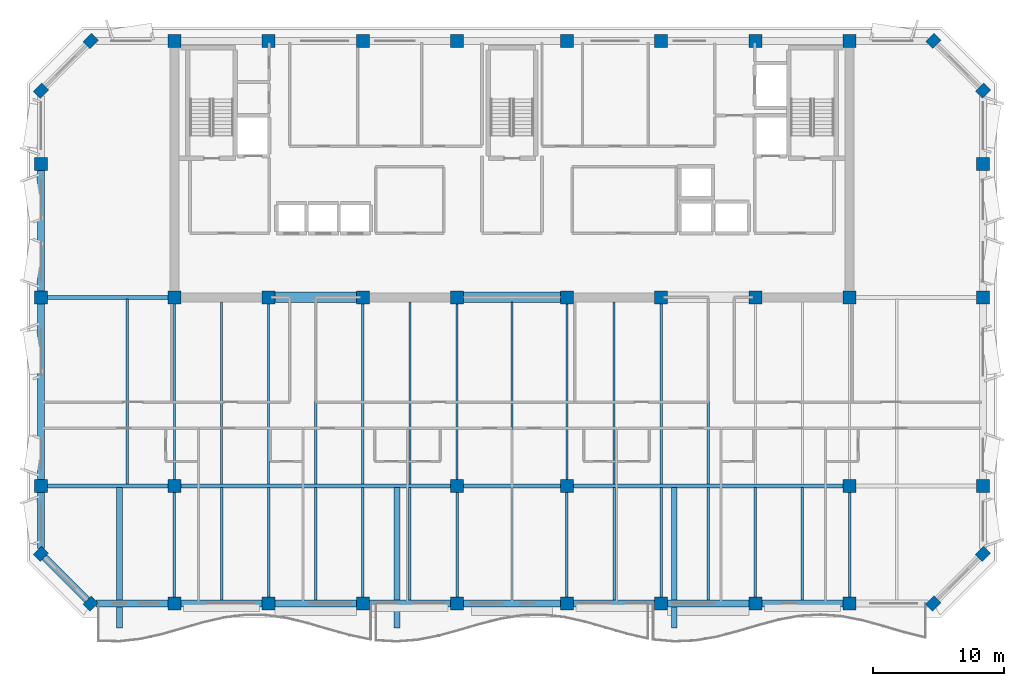
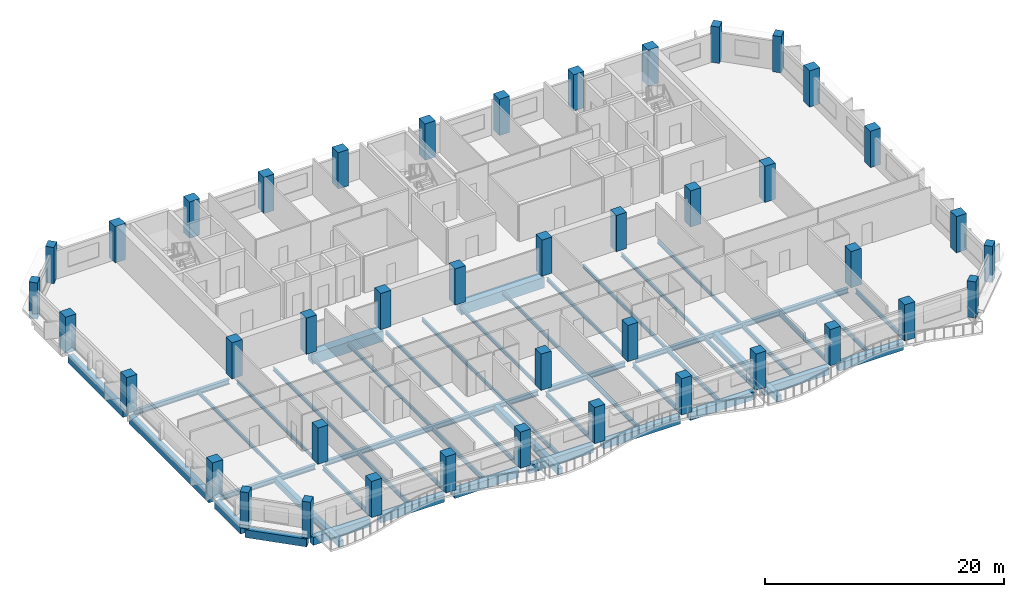
# One storey, part 1 of 11: 50 beams, 42 columns.
"""IFC4 building model written with IfcOpenShell, lengths in metres."""

from ifc_helpers import new_model, si_unit, direction, frame, origin, origin_2d, place, context, subcontext, project, spatial, rectangle, i_section, extrude, material, material_profile, profile_set, type_object, element, save


model = new_model("IFC4")

# Units and contexts
model_context = context("Model", 3, precision=1e-05, world=origin(), true_north=direction((0.0, 1.0)))
body_context = subcontext(model_context, "Body", "Model", "MODEL_VIEW")
ifc_project = project(units=[si_unit("LENGTHUNIT", "METRE"), si_unit("AREAUNIT", "SQUARE_METRE"), si_unit("VOLUMEUNIT", "CUBIC_METRE"), si_unit("PLANEANGLEUNIT", "RADIAN"), si_unit("MASSUNIT", "GRAM", prefix="KILO")], contexts=[model_context])

# Site, building, storey
site_placement = place(None, origin())
site = spatial("IfcSite", under=ifc_project, at=site_placement, CompositionType="ELEMENT")
building_placement = place(site_placement, origin())
building = spatial("IfcBuilding", under=site, at=building_placement, Name="Kaelvorn Grand Hotel", CompositionType="ELEMENT")
storey_placement = place(building_placement, frame((0.0, 0.0, 244.949951171875)))
storey = spatial("IfcBuildingStorey", under=building, at=storey_placement, Name="L60", CompositionType="ELEMENT", Elevation=244.949951171875)

# Columns
ifc_material_1 = material(Name="Concrete C60/75", Category="concrete")
ifc_material_profile_1 = material_profile(ifc_material_1, rectangle(XDim=0.89990234375, YDim=0.75, at=origin_2d()), Name="RC PILASTER 900x750")
ifc_profile_set_1 = profile_set([ifc_material_profile_1], Name="Concrete C60/75")
column_type_1 = type_object("IfcColumnType", Name="COL-PIL-900x750-C60", PredefinedType="PILASTER", material=ifc_profile_set_1)
for number, where, z_axis, x_axis, name in (
    (1, (9.800048828125, 6.0, 0.0), (0.0, 0.0, 1.0), (0.707106781187, 0.707106781187, 0.0), "L60 Structural Column CH-01"),
    (2, (74.199951171875, 6.0, 0.0), (0.0, 0.0, 1.0), (0.707106781187, 0.707106781187, 0.0), "L60 Structural Column CH-02"),
    (3, (78.0, 9.800048828125, 0.0), (0.0, 0.0, 1.0), (0.707106781187, 0.707106781187, 0.0), "L60 Structural Column CH-03"),
    (4, (78.0, 45.199951171875, 0.0), (0.0, 0.0, 1.0), (0.707106781187, 0.707106781187, 0.0), "L60 Structural Column CH-04"),
    (5, (74.199951171875, 49.0, 0.0), (0.0, 0.0, 1.0), (0.707106781187, 0.707106781187, 0.0), "L60 Structural Column CH-05"),
    (6, (9.800048828125, 49.0, 0.0), (0.0, 0.0, 1.0), (0.707106781187, 0.707106781187, 0.0), "L60 Structural Column CH-06"),
    (7, (6.0, 45.199951171875, 0.0), (0.0, 0.0, 1.0), (0.707106781187, 0.707106781187, 0.0), "L60 Structural Column CH-07"),
    (8, (6.0, 9.800048828125, 0.0), (0.0, 0.0, 1.0), (0.707106781187, 0.707106781187, 0.0), "L60 Structural Column CH-08"),
):
    element("IfcColumn", number, at=place(storey_placement, frame(where, z_axis=z_axis, x_axis=x_axis)), inside=storey, type_object=column_type_1, Name=name, PredefinedType="PILASTER", context=body_context, shape_type="SweptSolid", body=[
        extrude(rectangle(XDim=0.89990234375, YDim=0.75, at=origin_2d()), origin(), (0.0, 0.0, 1.0), 3.7099609375),
    ])
ifc_material_2 = material(Name="Concrete C50/60", Category="concrete")
ifc_material_profile_2 = material_profile(ifc_material_2, rectangle(XDim=1.0, YDim=1.0, at=origin_2d()), Name="RC COL 1000x1000")
ifc_profile_set_2 = profile_set([ifc_material_profile_2], Name="Concrete C50/60")
column_type_2 = type_object("IfcColumnType", Name="COL-RC-1000-C50", PredefinedType="COLUMN", material=ifc_profile_set_2)
for number, where, z_axis, x_axis, name in (
    (9, (16.199951171875, 6.0, 0.0), (0.0, 0.0, 1.0), (1.0, 0.0, 0.0), "L60 Structural Column S-01"),
    (10, (23.39990234375, 6.0, 0.0), (0.0, 0.0, 1.0), (1.0, 0.0, 0.0), "L60 Structural Column S-02"),
    (11, (30.60009765625, 6.0, 0.0), (0.0, 0.0, 1.0), (1.0, 0.0, 0.0), "L60 Structural Column S-03"),
    (12, (37.800048828125, 6.0, 0.0), (0.0, 0.0, 1.0), (1.0, 0.0, 0.0), "L60 Structural Column S-04"),
    (13, (46.199951171875, 6.0, 0.0), (0.0, 0.0, 1.0), (1.0, 0.0, 0.0), "L60 Structural Column S-05"),
    (14, (53.39990234375, 6.0, 0.0), (0.0, 0.0, 1.0), (1.0, 0.0, 0.0), "L60 Structural Column S-06"),
    (15, (60.60009765625, 6.0, 0.0), (0.0, 0.0, 1.0), (1.0, 0.0, 0.0), "L60 Structural Column S-07"),
    (16, (67.800048828125, 6.0, 0.0), (0.0, 0.0, 1.0), (1.0, 0.0, 0.0), "L60 Structural Column S-08"),
    (17, (6.0, 15.0, 0.0), (0.0, 0.0, 1.0), (1.0, 0.0, 0.0), "L60 Structural Column W-01"),
    (18, (78.0, 15.0, 0.0), (0.0, 0.0, 1.0), (1.0, 0.0, 0.0), "L60 Structural Column E-01"),
    (19, (6.0, 29.39990234375, 0.0), (0.0, 0.0, 1.0), (1.0, 0.0, 0.0), "L60 Structural Column W-02"),
    (20, (78.0, 29.39990234375, 0.0), (0.0, 0.0, 1.0), (1.0, 0.0, 0.0), "L60 Structural Column E-02"),
    (21, (6.0, 39.60009765625, 0.0), (0.0, 0.0, 1.0), (1.0, 0.0, 0.0), "L60 Structural Column W-03"),
    (22, (78.0, 39.60009765625, 0.0), (0.0, 0.0, 1.0), (1.0, 0.0, 0.0), "L60 Structural Column E-03"),
    (23, (16.199951171875, 15.0, 0.0), (0.0, 0.0, 1.0), (1.0, 0.0, 0.0), "L60 Structural Column M-01"),
    (24, (37.800048828125, 15.0, 0.0), (0.0, 0.0, 1.0), (1.0, 0.0, 0.0), "L60 Structural Column M-02"),
    (25, (46.199951171875, 15.0, 0.0), (0.0, 0.0, 1.0), (1.0, 0.0, 0.0), "L60 Structural Column M-03"),
    (26, (67.800048828125, 15.0, 0.0), (0.0, 0.0, 1.0), (1.0, 0.0, 0.0), "L60 Structural Column M-04"),
    (27, (16.199951171875, 29.39990234375, 0.0), (0.0, 0.0, 1.0), (1.0, 0.0, 0.0), "L60 Structural Column CR1-01"),
    (28, (16.199951171875, 49.0, 0.0), (0.0, 0.0, 1.0), (1.0, 0.0, 0.0), "L60 Structural Column CR2-01"),
    (29, (23.39990234375, 29.39990234375, 0.0), (0.0, 0.0, 1.0), (1.0, 0.0, 0.0), "L60 Structural Column CR1-02"),
    (30, (23.39990234375, 49.0, 0.0), (0.0, 0.0, 1.0), (1.0, 0.0, 0.0), "L60 Structural Column CR2-02"),
    (31, (30.60009765625, 29.39990234375, 0.0), (0.0, 0.0, 1.0), (1.0, 0.0, 0.0), "L60 Structural Column CR1-03"),
    (32, (30.60009765625, 49.0, 0.0), (0.0, 0.0, 1.0), (1.0, 0.0, 0.0), "L60 Structural Column CR2-03"),
    (33, (37.800048828125, 29.39990234375, 0.0), (0.0, 0.0, 1.0), (1.0, 0.0, 0.0), "L60 Structural Column CR1-04"),
    (34, (37.800048828125, 49.0, 0.0), (0.0, 0.0, 1.0), (1.0, 0.0, 0.0), "L60 Structural Column CR2-04"),
    (35, (46.199951171875, 29.39990234375, 0.0), (0.0, 0.0, 1.0), (1.0, 0.0, 0.0), "L60 Structural Column CR1-05"),
    (36, (46.199951171875, 49.0, 0.0), (0.0, 0.0, 1.0), (1.0, 0.0, 0.0), "L60 Structural Column CR2-05"),
    (37, (53.39990234375, 29.39990234375, 0.0), (0.0, 0.0, 1.0), (1.0, 0.0, 0.0), "L60 Structural Column CR1-06"),
    (38, (53.39990234375, 49.0, 0.0), (0.0, 0.0, 1.0), (1.0, 0.0, 0.0), "L60 Structural Column CR2-06"),
    (39, (60.60009765625, 29.39990234375, 0.0), (0.0, 0.0, 1.0), (1.0, 0.0, 0.0), "L60 Structural Column CR1-07"),
    (40, (60.60009765625, 49.0, 0.0), (0.0, 0.0, 1.0), (1.0, 0.0, 0.0), "L60 Structural Column CR2-07"),
    (41, (67.800048828125, 29.39990234375, 0.0), (0.0, 0.0, 1.0), (1.0, 0.0, 0.0), "L60 Structural Column CR1-08"),
    (42, (67.800048828125, 49.0, 0.0), (0.0, 0.0, 1.0), (1.0, 0.0, 0.0), "L60 Structural Column CR2-08"),
):
    element("IfcColumn", number, at=place(storey_placement, frame(where, z_axis=z_axis, x_axis=x_axis)), inside=storey, type_object=column_type_2, Name=name, PredefinedType="COLUMN", context=body_context, shape_type="SweptSolid", body=[
        extrude(rectangle(XDim=1.0, YDim=1.0, at=origin_2d()), origin(), (0.0, 0.0, 1.0), 3.7099609375),
    ])

# Beams
ifc_material_3 = material(Name="Steel S355", Category="steel")
ifc_material_profile_3 = material_profile(ifc_material_3, i_section(OverallWidth=0.300048828125, OverallDepth=0.5, WebThickness=0.014404296875, FlangeThickness=0.028076171875, FilletRadius=0.027099609375, at=origin_2d()), Name="HEB 500")
ifc_profile_set_3 = profile_set([ifc_material_profile_3], Name="Steel S355")
beam_type_1 = type_object("IfcBeamType", Name="BM-G-HEB500-S355", PredefinedType="BEAM", material=ifc_profile_set_3)
beam_1_placement = place(storey_placement, frame((6.485107421875, 15.0, -0.489990234375), z_axis=(1.0, 0.0, 0.0), x_axis=(0.0, 1.0, 0.0)))
element("IfcBeam", 43, at=beam_1_placement, inside=storey, type_object=beam_type_1, Name="L60 Primary Spine Steel Girder G-15 01", PredefinedType="BEAM", context=body_context, shape_type="SweptSolid", body=[
    extrude(i_section(OverallWidth=0.300048828125, OverallDepth=0.5, WebThickness=0.014404296875, FlangeThickness=0.028076171875, FilletRadius=0.027099609375, at=origin_2d()), origin(), (0.0, 0.0, 1.0), 9.22998046875),
])
beam_2_placement = place(storey_placement, frame((16.68505859375, 15.0, -0.489990234375), z_axis=(1.0, 0.0, 0.0), x_axis=(0.0, 1.0, 0.0)))
element("IfcBeam", 44, at=beam_2_placement, inside=storey, type_object=beam_type_1, Name="L60 Primary Spine Steel Girder G-15 02", PredefinedType="BEAM", context=body_context, shape_type="SweptSolid", body=[
    extrude(i_section(OverallWidth=0.300048828125, OverallDepth=0.5, WebThickness=0.014404296875, FlangeThickness=0.028076171875, FilletRadius=0.027099609375, at=origin_2d()), origin(), (0.0, 0.0, 1.0), 20.6298828125),
])
beam_3_placement = place(storey_placement, frame((38.284912109375, 15.0, -0.489990234375), z_axis=(1.0, 0.0, 0.0), x_axis=(0.0, 1.0, 0.0)))
element("IfcBeam", 45, at=beam_3_placement, inside=storey, type_object=beam_type_1, Name="L60 Primary Spine Steel Girder G-15 03", PredefinedType="BEAM", context=body_context, shape_type="SweptSolid", body=[
    extrude(i_section(OverallWidth=0.300048828125, OverallDepth=0.5, WebThickness=0.014404296875, FlangeThickness=0.028076171875, FilletRadius=0.027099609375, at=origin_2d()), origin(), (0.0, 0.0, 1.0), 7.43017578125),
])
beam_4_placement = place(storey_placement, frame((46.68505859375, 15.0, -0.489990234375), z_axis=(1.0, 0.0, 0.0), x_axis=(0.0, 1.0, 0.0)))
element("IfcBeam", 46, at=beam_4_placement, inside=storey, type_object=beam_type_1, Name="L60 Primary Spine Steel Girder G-15 04", PredefinedType="BEAM", context=body_context, shape_type="SweptSolid", body=[
    extrude(i_section(OverallWidth=0.300048828125, OverallDepth=0.5, WebThickness=0.014404296875, FlangeThickness=0.028076171875, FilletRadius=0.027099609375, at=origin_2d()), origin(), (0.0, 0.0, 1.0), 20.6298828125),
])
beam_5_placement = place(storey_placement, frame((6.485107421875, 29.39990234375, -0.489990234375), z_axis=(1.0, 0.0, 0.0), x_axis=(0.0, 1.0, 0.0)))
element("IfcBeam", 47, at=beam_5_placement, inside=storey, type_object=beam_type_1, Name="L60 West Core Wing Steel Girder G-29W 01", PredefinedType="BEAM", context=body_context, shape_type="SweptSolid", body=[
    extrude(i_section(OverallWidth=0.300048828125, OverallDepth=0.5, WebThickness=0.014404296875, FlangeThickness=0.028076171875, FilletRadius=0.027099609375, at=origin_2d()), origin(), (0.0, 0.0, 1.0), 9.22998046875),
])
ifc_material_profile_4 = material_profile(ifc_material_3, i_section(OverallWidth=0.169921875, OverallDepth=0.360107421875, WebThickness=0.008056640625, FlangeThickness=0.0126953125, FilletRadius=0.01806640625, at=origin_2d()), Name="IPE 360")
ifc_profile_set_4 = profile_set([ifc_material_profile_4], Name="Steel S355")
beam_type_2 = type_object("IfcBeamType", Name="BM-J-IPE360-S355", PredefinedType="JOIST", material=ifc_profile_set_4)
beam_6_placement = place(storey_placement, frame((12.60009765625, 15.135009765625, -0.419921875), z_axis=(0.0, 1.0, 0.0), x_axis=(-1.0, 0.0, 0.0)))
element("IfcBeam", 48, at=beam_6_placement, inside=storey, type_object=beam_type_2, Name="L60 Composite Floor Joist JM-04", PredefinedType="JOIST", context=body_context, shape_type="SweptSolid", body=[
    extrude(i_section(OverallWidth=0.169921875, OverallDepth=0.360107421875, WebThickness=0.008056640625, FlangeThickness=0.0126953125, FilletRadius=0.01806640625, at=origin_2d()), origin(), (0.0, 0.0, 1.0), 14.1298828125),
])
beam_7_placement = place(storey_placement, frame((16.199951171875, 15.485107421875, -0.419921875), z_axis=(0.0, 1.0, 0.0), x_axis=(-1.0, 0.0, 0.0)))
element("IfcBeam", 49, at=beam_7_placement, inside=storey, type_object=beam_type_2, Name="L60 Composite Floor Joist JM-05", PredefinedType="JOIST", context=body_context, shape_type="SweptSolid", body=[
    extrude(i_section(OverallWidth=0.169921875, OverallDepth=0.360107421875, WebThickness=0.008056640625, FlangeThickness=0.0126953125, FilletRadius=0.01806640625, at=origin_2d()), origin(), (0.0, 0.0, 1.0), 13.429931640625),
])
beam_8_placement = place(storey_placement, frame((19.800048828125, 15.135009765625, -0.419921875), z_axis=(0.0, 1.0, 0.0), x_axis=(-1.0, 0.0, 0.0)))
element("IfcBeam", 50, at=beam_8_placement, inside=storey, type_object=beam_type_2, Name="L60 Composite Floor Joist JM-06", PredefinedType="JOIST", context=body_context, shape_type="SweptSolid", body=[
    extrude(i_section(OverallWidth=0.169921875, OverallDepth=0.360107421875, WebThickness=0.008056640625, FlangeThickness=0.0126953125, FilletRadius=0.01806640625, at=origin_2d()), origin(), (0.0, 0.0, 1.0), 13.925048828125),
])
beam_9_placement = place(storey_placement, frame((23.39990234375, 15.135009765625, -0.419921875), z_axis=(0.0, 1.0, 0.0), x_axis=(-1.0, 0.0, 0.0)))
element("IfcBeam", 51, at=beam_9_placement, inside=storey, type_object=beam_type_2, Name="L60 Composite Floor Joist JM-07", PredefinedType="JOIST", context=body_context, shape_type="SweptSolid", body=[
    extrude(i_section(OverallWidth=0.169921875, OverallDepth=0.360107421875, WebThickness=0.008056640625, FlangeThickness=0.0126953125, FilletRadius=0.01806640625, at=origin_2d()), origin(), (0.0, 0.0, 1.0), 13.780029296875),
])
beam_10_placement = place(storey_placement, frame((27.0, 15.135009765625, -0.419921875), z_axis=(0.0, 1.0, 0.0), x_axis=(-1.0, 0.0, 0.0)))
element("IfcBeam", 52, at=beam_10_placement, inside=storey, type_object=beam_type_2, Name="L60 Composite Floor Joist JM-08", PredefinedType="JOIST", context=body_context, shape_type="SweptSolid", body=[
    extrude(i_section(OverallWidth=0.169921875, OverallDepth=0.360107421875, WebThickness=0.008056640625, FlangeThickness=0.0126953125, FilletRadius=0.01806640625, at=origin_2d()), origin(), (0.0, 0.0, 1.0), 13.925048828125),
])
beam_11_placement = place(storey_placement, frame((30.60009765625, 15.135009765625, -0.419921875), z_axis=(0.0, 1.0, 0.0), x_axis=(-1.0, 0.0, 0.0)))
element("IfcBeam", 53, at=beam_11_placement, inside=storey, type_object=beam_type_2, Name="L60 Composite Floor Joist JM-09", PredefinedType="JOIST", context=body_context, shape_type="SweptSolid", body=[
    extrude(i_section(OverallWidth=0.169921875, OverallDepth=0.360107421875, WebThickness=0.008056640625, FlangeThickness=0.0126953125, FilletRadius=0.01806640625, at=origin_2d()), origin(), (0.0, 0.0, 1.0), 13.780029296875),
])
beam_12_placement = place(storey_placement, frame((34.199951171875, 15.135009765625, -0.419921875), z_axis=(0.0, 1.0, 0.0), x_axis=(-1.0, 0.0, 0.0)))
element("IfcBeam", 54, at=beam_12_placement, inside=storey, type_object=beam_type_2, Name="L60 Composite Floor Joist JM-10", PredefinedType="JOIST", context=body_context, shape_type="SweptSolid", body=[
    extrude(i_section(OverallWidth=0.169921875, OverallDepth=0.360107421875, WebThickness=0.008056640625, FlangeThickness=0.0126953125, FilletRadius=0.01806640625, at=origin_2d()), origin(), (0.0, 0.0, 1.0), 13.925048828125),
])
beam_13_placement = place(storey_placement, frame((37.800048828125, 15.485107421875, -0.419921875), z_axis=(0.0, 1.0, 0.0), x_axis=(-1.0, 0.0, 0.0)))
element("IfcBeam", 55, at=beam_13_placement, inside=storey, type_object=beam_type_2, Name="L60 Composite Floor Joist JM-11", PredefinedType="JOIST", context=body_context, shape_type="SweptSolid", body=[
    extrude(i_section(OverallWidth=0.169921875, OverallDepth=0.360107421875, WebThickness=0.008056640625, FlangeThickness=0.0126953125, FilletRadius=0.01806640625, at=origin_2d()), origin(), (0.0, 0.0, 1.0), 13.429931640625),
])
beam_14_placement = place(storey_placement, frame((42.0, 15.135009765625, -0.419921875), z_axis=(0.0, 1.0, 0.0), x_axis=(-1.0, 0.0, 0.0)))
element("IfcBeam", 56, at=beam_14_placement, inside=storey, type_object=beam_type_2, Name="L60 Composite Floor Joist JM-12", PredefinedType="JOIST", context=body_context, shape_type="SweptSolid", body=[
    extrude(i_section(OverallWidth=0.169921875, OverallDepth=0.360107421875, WebThickness=0.008056640625, FlangeThickness=0.0126953125, FilletRadius=0.01806640625, at=origin_2d()), origin(), (0.0, 0.0, 1.0), 13.925048828125),
])
beam_15_placement = place(storey_placement, frame((46.199951171875, 15.485107421875, -0.419921875), z_axis=(0.0, 1.0, 0.0), x_axis=(-1.0, 0.0, 0.0)))
element("IfcBeam", 57, at=beam_15_placement, inside=storey, type_object=beam_type_2, Name="L60 Composite Floor Joist JM-13", PredefinedType="JOIST", context=body_context, shape_type="SweptSolid", body=[
    extrude(i_section(OverallWidth=0.169921875, OverallDepth=0.360107421875, WebThickness=0.008056640625, FlangeThickness=0.0126953125, FilletRadius=0.01806640625, at=origin_2d()), origin(), (0.0, 0.0, 1.0), 13.429931640625),
])
beam_16_placement = place(storey_placement, frame((49.800048828125, 15.135009765625, -0.419921875), z_axis=(0.0, 1.0, 0.0), x_axis=(-1.0, 0.0, 0.0)))
element("IfcBeam", 58, at=beam_16_placement, inside=storey, type_object=beam_type_2, Name="L60 Composite Floor Joist JM-14", PredefinedType="JOIST", context=body_context, shape_type="SweptSolid", body=[
    extrude(i_section(OverallWidth=0.169921875, OverallDepth=0.360107421875, WebThickness=0.008056640625, FlangeThickness=0.0126953125, FilletRadius=0.01806640625, at=origin_2d()), origin(), (0.0, 0.0, 1.0), 13.925048828125),
])
beam_17_placement = place(storey_placement, frame((53.39990234375, 15.135009765625, -0.419921875), z_axis=(0.0, 1.0, 0.0), x_axis=(-1.0, 0.0, 0.0)))
element("IfcBeam", 59, at=beam_17_placement, inside=storey, type_object=beam_type_2, Name="L60 Composite Floor Joist JM-15", PredefinedType="JOIST", context=body_context, shape_type="SweptSolid", body=[
    extrude(i_section(OverallWidth=0.169921875, OverallDepth=0.360107421875, WebThickness=0.008056640625, FlangeThickness=0.0126953125, FilletRadius=0.01806640625, at=origin_2d()), origin(), (0.0, 0.0, 1.0), 13.780029296875),
])
beam_18_placement = place(storey_placement, frame((57.0, 15.135009765625, -0.419921875), z_axis=(0.0, 1.0, 0.0), x_axis=(-1.0, 0.0, 0.0)))
element("IfcBeam", 60, at=beam_18_placement, inside=storey, type_object=beam_type_2, Name="L60 Composite Floor Joist JM-16", PredefinedType="JOIST", context=body_context, shape_type="SweptSolid", body=[
    extrude(i_section(OverallWidth=0.169921875, OverallDepth=0.360107421875, WebThickness=0.008056640625, FlangeThickness=0.0126953125, FilletRadius=0.01806640625, at=origin_2d()), origin(), (0.0, 0.0, 1.0), 13.925048828125),
])
ifc_material_profile_5 = material_profile(ifc_material_3, i_section(OverallWidth=0.18994140625, OverallDepth=0.449951171875, WebThickness=0.009521484375, FlangeThickness=0.0146484375, FilletRadius=0.02099609375, at=origin_2d()), Name="IPE 450")
ifc_profile_set_5 = profile_set([ifc_material_profile_5], Name="Steel S355")
beam_type_3 = type_object("IfcBeamType", Name="BM-J-IPE450-S355", PredefinedType="JOIST", material=ifc_profile_set_5)
beam_19_placement = place(storey_placement, frame((16.199951171875, 6.485107421875, -0.46484375), z_axis=(0.0, 1.0, 0.0), x_axis=(-1.0, 0.0, 0.0)))
element("IfcBeam", 61, at=beam_19_placement, inside=storey, type_object=beam_type_3, Name="L60 Composite Floor Joist JS-05", PredefinedType="JOIST", context=body_context, shape_type="SweptSolid", body=[
    extrude(i_section(OverallWidth=0.18994140625, OverallDepth=0.449951171875, WebThickness=0.009521484375, FlangeThickness=0.0146484375, FilletRadius=0.02099609375, at=origin_2d()), origin(), (0.0, 0.0, 1.0), 8.02978515625),
])
beam_20_placement = place(storey_placement, frame((19.800048828125, 6.260009765625, -0.46484375), z_axis=(0.0, 1.0, 0.0), x_axis=(-1.0, 0.0, 0.0)))
element("IfcBeam", 62, at=beam_20_placement, inside=storey, type_object=beam_type_3, Name="L60 Composite Floor Joist JS-06", PredefinedType="JOIST", context=body_context, shape_type="SweptSolid", body=[
    extrude(i_section(OverallWidth=0.18994140625, OverallDepth=0.449951171875, WebThickness=0.009521484375, FlangeThickness=0.0146484375, FilletRadius=0.02099609375, at=origin_2d()), origin(), (0.0, 0.0, 1.0), 8.60498046875),
])
beam_21_placement = place(storey_placement, frame((23.39990234375, 6.485107421875, -0.46484375), z_axis=(0.0, 1.0, 0.0), x_axis=(-1.0, 0.0, 0.0)))
element("IfcBeam", 63, at=beam_21_placement, inside=storey, type_object=beam_type_3, Name="L60 Composite Floor Joist JS-07", PredefinedType="JOIST", context=body_context, shape_type="SweptSolid", body=[
    extrude(i_section(OverallWidth=0.18994140625, OverallDepth=0.449951171875, WebThickness=0.009521484375, FlangeThickness=0.0146484375, FilletRadius=0.02099609375, at=origin_2d()), origin(), (0.0, 0.0, 1.0), 8.3798828125),
])
beam_22_placement = place(storey_placement, frame((27.0, 6.260009765625, -0.46484375), z_axis=(0.0, 1.0, 0.0), x_axis=(-1.0, 0.0, 0.0)))
element("IfcBeam", 64, at=beam_22_placement, inside=storey, type_object=beam_type_3, Name="L60 Composite Floor Joist JS-08", PredefinedType="JOIST", context=body_context, shape_type="SweptSolid", body=[
    extrude(i_section(OverallWidth=0.18994140625, OverallDepth=0.449951171875, WebThickness=0.009521484375, FlangeThickness=0.0146484375, FilletRadius=0.02099609375, at=origin_2d()), origin(), (0.0, 0.0, 1.0), 8.60498046875),
])
beam_23_placement = place(storey_placement, frame((30.60009765625, 6.485107421875, -0.46484375), z_axis=(0.0, 1.0, 0.0), x_axis=(-1.0, 0.0, 0.0)))
element("IfcBeam", 65, at=beam_23_placement, inside=storey, type_object=beam_type_3, Name="L60 Composite Floor Joist JS-09", PredefinedType="JOIST", context=body_context, shape_type="SweptSolid", body=[
    extrude(i_section(OverallWidth=0.18994140625, OverallDepth=0.449951171875, WebThickness=0.009521484375, FlangeThickness=0.0146484375, FilletRadius=0.02099609375, at=origin_2d()), origin(), (0.0, 0.0, 1.0), 8.3798828125),
])
beam_24_placement = place(storey_placement, frame((34.199951171875, 6.260009765625, -0.46484375), z_axis=(0.0, 1.0, 0.0), x_axis=(-1.0, 0.0, 0.0)))
element("IfcBeam", 66, at=beam_24_placement, inside=storey, type_object=beam_type_3, Name="L60 Composite Floor Joist JS-10", PredefinedType="JOIST", context=body_context, shape_type="SweptSolid", body=[
    extrude(i_section(OverallWidth=0.18994140625, OverallDepth=0.449951171875, WebThickness=0.009521484375, FlangeThickness=0.0146484375, FilletRadius=0.02099609375, at=origin_2d()), origin(), (0.0, 0.0, 1.0), 8.60498046875),
])
beam_25_placement = place(storey_placement, frame((37.800048828125, 6.485107421875, -0.46484375), z_axis=(0.0, 1.0, 0.0), x_axis=(-1.0, 0.0, 0.0)))
element("IfcBeam", 67, at=beam_25_placement, inside=storey, type_object=beam_type_3, Name="L60 Composite Floor Joist JS-11", PredefinedType="JOIST", context=body_context, shape_type="SweptSolid", body=[
    extrude(i_section(OverallWidth=0.18994140625, OverallDepth=0.449951171875, WebThickness=0.009521484375, FlangeThickness=0.0146484375, FilletRadius=0.02099609375, at=origin_2d()), origin(), (0.0, 0.0, 1.0), 8.02978515625),
])
beam_26_placement = place(storey_placement, frame((42.0, 6.260009765625, -0.46484375), z_axis=(0.0, 1.0, 0.0), x_axis=(-1.0, 0.0, 0.0)))
element("IfcBeam", 68, at=beam_26_placement, inside=storey, type_object=beam_type_3, Name="L60 Composite Floor Joist JS-12", PredefinedType="JOIST", context=body_context, shape_type="SweptSolid", body=[
    extrude(i_section(OverallWidth=0.18994140625, OverallDepth=0.449951171875, WebThickness=0.009521484375, FlangeThickness=0.0146484375, FilletRadius=0.02099609375, at=origin_2d()), origin(), (0.0, 0.0, 1.0), 8.60498046875),
])
beam_27_placement = place(storey_placement, frame((46.199951171875, 6.485107421875, -0.46484375), z_axis=(0.0, 1.0, 0.0), x_axis=(-1.0, 0.0, 0.0)))
element("IfcBeam", 69, at=beam_27_placement, inside=storey, type_object=beam_type_3, Name="L60 Composite Floor Joist JS-13", PredefinedType="JOIST", context=body_context, shape_type="SweptSolid", body=[
    extrude(i_section(OverallWidth=0.18994140625, OverallDepth=0.449951171875, WebThickness=0.009521484375, FlangeThickness=0.0146484375, FilletRadius=0.02099609375, at=origin_2d()), origin(), (0.0, 0.0, 1.0), 8.02978515625),
])
beam_28_placement = place(storey_placement, frame((49.800048828125, 6.260009765625, -0.46484375), z_axis=(0.0, 1.0, 0.0), x_axis=(-1.0, 0.0, 0.0)))
element("IfcBeam", 70, at=beam_28_placement, inside=storey, type_object=beam_type_3, Name="L60 Composite Floor Joist JS-14", PredefinedType="JOIST", context=body_context, shape_type="SweptSolid", body=[
    extrude(i_section(OverallWidth=0.18994140625, OverallDepth=0.449951171875, WebThickness=0.009521484375, FlangeThickness=0.0146484375, FilletRadius=0.02099609375, at=origin_2d()), origin(), (0.0, 0.0, 1.0), 8.60498046875),
])
beam_29_placement = place(storey_placement, frame((53.39990234375, 6.485107421875, -0.46484375), z_axis=(0.0, 1.0, 0.0), x_axis=(-1.0, 0.0, 0.0)))
element("IfcBeam", 71, at=beam_29_placement, inside=storey, type_object=beam_type_3, Name="L60 Composite Floor Joist JS-15", PredefinedType="JOIST", context=body_context, shape_type="SweptSolid", body=[
    extrude(i_section(OverallWidth=0.18994140625, OverallDepth=0.449951171875, WebThickness=0.009521484375, FlangeThickness=0.0146484375, FilletRadius=0.02099609375, at=origin_2d()), origin(), (0.0, 0.0, 1.0), 8.3798828125),
])
beam_30_placement = place(storey_placement, frame((57.0, 6.260009765625, -0.46484375), z_axis=(0.0, 1.0, 0.0), x_axis=(-1.0, 0.0, 0.0)))
element("IfcBeam", 72, at=beam_30_placement, inside=storey, type_object=beam_type_3, Name="L60 Composite Floor Joist JS-16", PredefinedType="JOIST", context=body_context, shape_type="SweptSolid", body=[
    extrude(i_section(OverallWidth=0.18994140625, OverallDepth=0.449951171875, WebThickness=0.009521484375, FlangeThickness=0.0146484375, FilletRadius=0.02099609375, at=origin_2d()), origin(), (0.0, 0.0, 1.0), 8.60498046875),
])
beam_31_placement = place(storey_placement, frame((60.60009765625, 6.485107421875, -0.46484375), z_axis=(0.0, 1.0, 0.0), x_axis=(-1.0, 0.0, 0.0)))
element("IfcBeam", 73, at=beam_31_placement, inside=storey, type_object=beam_type_3, Name="L60 Composite Floor Joist JS-17", PredefinedType="JOIST", context=body_context, shape_type="SweptSolid", body=[
    extrude(i_section(OverallWidth=0.18994140625, OverallDepth=0.449951171875, WebThickness=0.009521484375, FlangeThickness=0.0146484375, FilletRadius=0.02099609375, at=origin_2d()), origin(), (0.0, 0.0, 1.0), 8.3798828125),
])
beam_32_placement = place(storey_placement, frame((64.199951171875, 6.260009765625, -0.46484375), z_axis=(0.0, 1.0, 0.0), x_axis=(-1.0, 0.0, 0.0)))
element("IfcBeam", 74, at=beam_32_placement, inside=storey, type_object=beam_type_3, Name="L60 Composite Floor Joist JS-18", PredefinedType="JOIST", context=body_context, shape_type="SweptSolid", body=[
    extrude(i_section(OverallWidth=0.18994140625, OverallDepth=0.449951171875, WebThickness=0.009521484375, FlangeThickness=0.0146484375, FilletRadius=0.02099609375, at=origin_2d()), origin(), (0.0, 0.0, 1.0), 8.60498046875),
])
beam_33_placement = place(storey_placement, frame((67.800048828125, 6.485107421875, -0.46484375), z_axis=(0.0, 1.0, 0.0), x_axis=(-1.0, 0.0, 0.0)))
element("IfcBeam", 75, at=beam_33_placement, inside=storey, type_object=beam_type_3, Name="L60 Composite Floor Joist JS-19", PredefinedType="JOIST", context=body_context, shape_type="SweptSolid", body=[
    extrude(i_section(OverallWidth=0.18994140625, OverallDepth=0.449951171875, WebThickness=0.009521484375, FlangeThickness=0.0146484375, FilletRadius=0.02099609375, at=origin_2d()), origin(), (0.0, 0.0, 1.0), 8.02978515625),
])
ifc_material_profile_6 = material_profile(ifc_material_1, rectangle(XDim=0.800048828125, YDim=1.10009765625, at=origin_2d()), Name="RC LINTEL 800x1100")
ifc_profile_set_6 = profile_set([ifc_material_profile_6], Name="Concrete C60/75")
beam_type_4 = type_object("IfcBeamType", Name="BM-LIN-800x1100-C60", PredefinedType="LINTEL", material=ifc_profile_set_6)
beam_34_placement = place(storey_placement, frame((23.580078125, 29.39990234375, -0.7900390625), z_axis=(1.0, 0.0, 0.0), x_axis=(0.0, 1.0, 0.0)))
element("IfcBeam", 76, at=beam_34_placement, inside=storey, type_object=beam_type_4, Name="L60 Rear-Core Coupling Lintel Beam CB1-01", PredefinedType="LINTEL", context=body_context, shape_type="SweptSolid", body=[
    extrude(rectangle(XDim=0.800048828125, YDim=1.10009765625, at=origin_2d()), origin(), (0.0, 0.0, 1.0), 6.83984375),
])
beam_35_placement = place(storey_placement, frame((37.97998046875, 29.39990234375, -0.7900390625), z_axis=(1.0, 0.0, 0.0), x_axis=(0.0, 1.0, 0.0)))
element("IfcBeam", 77, at=beam_35_placement, inside=storey, type_object=beam_type_4, Name="L60 Rear-Core Coupling Lintel Beam CB1-02", PredefinedType="LINTEL", context=body_context, shape_type="SweptSolid", body=[
    extrude(rectangle(XDim=0.800048828125, YDim=1.10009765625, at=origin_2d()), origin(), (0.0, 0.0, 1.0), 8.0400390625),
])
ifc_material_4 = material(Name="Concrete C40/50", Category="concrete")
ifc_material_profile_7 = material_profile(ifc_material_4, rectangle(XDim=0.449951171875, YDim=0.64990234375, at=origin_2d()), Name="RC RIB 450x650")
ifc_profile_set_7 = profile_set([ifc_material_profile_7], Name="Concrete C40/50")
beam_type_5 = type_object("IfcBeamType", Name="BM-RIB-450x650-C40", PredefinedType="SPANDREL", material=ifc_profile_set_7)
for number, where, z_axis, x_axis, name in (
    (78, (12.0, 4.14990234375, -0.544921875), (0.0, 1.0, 0.0), (-1.0, 0.0, 0.0), "L60 Cantilevered Balcony Back-Span Rib RB1-1"),
    (79, (33.199951171875, 4.14990234375, -0.544921875), (0.0, 1.0, 0.0), (-1.0, 0.0, 0.0), "L60 Cantilevered Balcony Back-Span Rib RB1-2"),
    (80, (54.39990234375, 4.14990234375, -0.544921875), (0.0, 1.0, 0.0), (-1.0, 0.0, 0.0), "L60 Cantilevered Balcony Back-Span Rib RB1-3"),
):
    element("IfcBeam", number, at=place(storey_placement, frame(where, z_axis=z_axis, x_axis=x_axis)), inside=storey, type_object=beam_type_5, Name=name, PredefinedType="SPANDREL", context=body_context, shape_type="SweptSolid", body=[
        extrude(rectangle(XDim=0.449951171875, YDim=0.64990234375, at=origin_2d()), origin(), (0.0, 0.0, 1.0), 10.715087890625),
    ])
ifc_material_profile_8 = material_profile(ifc_material_2, rectangle(XDim=0.550048828125, YDim=0.800048828125, at=origin_2d()), Name="RC SPANDREL 550x800")
ifc_profile_set_8 = profile_set([ifc_material_profile_8], Name="Concrete C50/60")
beam_type_6 = type_object("IfcBeamType", Name="BM-SP-550x800-C50", PredefinedType="SPANDREL", material=ifc_profile_set_8)
beam_36_placement = place(storey_placement, frame((10.205078125, 6.0, -0.639892578125), z_axis=(1.0, 0.0, 0.0), x_axis=(0.0, 1.0, 0.0)))
element("IfcBeam", 81, at=beam_36_placement, inside=storey, type_object=beam_type_6, Name="L60 South Perimeter Spandrel 01", PredefinedType="SPANDREL", context=body_context, shape_type="SweptSolid", body=[
    extrude(rectangle(XDim=0.550048828125, YDim=0.800048828125, at=origin_2d()), origin(), (0.0, 0.0, 1.0), 5.510009765625),
])
for number, where, z_axis, x_axis, name in (
    (82, (16.68505859375, 6.0, -0.639892578125), (1.0, 0.0, 0.0), (0.0, 1.0, 0.0), "L60 South Perimeter Spandrel 02"),
    (83, (23.885009765625, 6.0, -0.639892578125), (1.0, 0.0, 0.0), (0.0, 1.0, 0.0), "L60 South Perimeter Spandrel 03"),
    (84, (31.0849609375, 6.0, -0.639892578125), (1.0, 0.0, 0.0), (0.0, 1.0, 0.0), "L60 South Perimeter Spandrel 04"),
):
    element("IfcBeam", number, at=place(storey_placement, frame(where, z_axis=z_axis, x_axis=x_axis)), inside=storey, type_object=beam_type_6, Name=name, PredefinedType="SPANDREL", context=body_context, shape_type="SweptSolid", body=[
        extrude(rectangle(XDim=0.550048828125, YDim=0.800048828125, at=origin_2d()), origin(), (0.0, 0.0, 1.0), 6.22998046875),
    ])
beam_37_placement = place(storey_placement, frame((38.284912109375, 6.0, -0.639892578125), z_axis=(1.0, 0.0, 0.0), x_axis=(0.0, 1.0, 0.0)))
element("IfcBeam", 85, at=beam_37_placement, inside=storey, type_object=beam_type_6, Name="L60 South Perimeter Spandrel 05", PredefinedType="SPANDREL", context=body_context, shape_type="SweptSolid", body=[
    extrude(rectangle(XDim=0.550048828125, YDim=0.800048828125, at=origin_2d()), origin(), (0.0, 0.0, 1.0), 7.43017578125),
])
for number, where, z_axis, x_axis, name in (
    (86, (46.68505859375, 6.0, -0.639892578125), (1.0, 0.0, 0.0), (0.0, 1.0, 0.0), "L60 South Perimeter Spandrel 06"),
    (87, (53.885009765625, 6.0, -0.639892578125), (1.0, 0.0, 0.0), (0.0, 1.0, 0.0), "L60 South Perimeter Spandrel 07"),
    (88, (61.0849609375, 6.0, -0.639892578125), (1.0, 0.0, 0.0), (0.0, 1.0, 0.0), "L60 South Perimeter Spandrel 08"),
):
    element("IfcBeam", number, at=place(storey_placement, frame(where, z_axis=z_axis, x_axis=x_axis)), inside=storey, type_object=beam_type_6, Name=name, PredefinedType="SPANDREL", context=body_context, shape_type="SweptSolid", body=[
        extrude(rectangle(XDim=0.550048828125, YDim=0.800048828125, at=origin_2d()), origin(), (0.0, 0.0, 1.0), 6.22998046875),
    ])
beam_38_placement = place(storey_placement, frame((6.0, 10.205078125, -0.639892578125), z_axis=(0.0, 1.0, 0.0), x_axis=(-1.0, 0.0, 0.0)))
element("IfcBeam", 89, at=beam_38_placement, inside=storey, type_object=beam_type_6, Name="L60 West Perimeter Spandrel 01", PredefinedType="SPANDREL", context=body_context, shape_type="SweptSolid", body=[
    extrude(rectangle(XDim=0.550048828125, YDim=0.800048828125, at=origin_2d()), origin(), (0.0, 0.0, 1.0), 4.309814453125),
])
beam_39_placement = place(storey_placement, frame((6.0, 15.485107421875, -0.639892578125), z_axis=(0.0, 1.0, 0.0), x_axis=(-1.0, 0.0, 0.0)))
element("IfcBeam", 90, at=beam_39_placement, inside=storey, type_object=beam_type_6, Name="L60 West Perimeter Spandrel 02", PredefinedType="SPANDREL", context=body_context, shape_type="SweptSolid", body=[
    extrude(rectangle(XDim=0.550048828125, YDim=0.800048828125, at=origin_2d()), origin(), (0.0, 0.0, 1.0), 13.429931640625),
])
beam_40_placement = place(storey_placement, frame((6.0, 29.885009765625, -0.639892578125), z_axis=(0.0, 1.0, 0.0), x_axis=(-1.0, 0.0, 0.0)))
element("IfcBeam", 91, at=beam_40_placement, inside=storey, type_object=beam_type_6, Name="L60 West Perimeter Spandrel 03", PredefinedType="SPANDREL", context=body_context, shape_type="SweptSolid", body=[
    extrude(rectangle(XDim=0.550048828125, YDim=0.800048828125, at=origin_2d()), origin(), (0.0, 0.0, 1.0), 9.22998046875),
])
beam_41_placement = place(storey_placement, frame((6.0, 9.800048828125, -0.639892578125), z_axis=(0.707106781187, -0.707106781187, 0.0), x_axis=(0.707106781187, 0.707106781187, 0.0)))
element("IfcBeam", 92, at=beam_41_placement, inside=storey, type_object=beam_type_6, Name="L60 Chamfer Spandrel Beam 4", PredefinedType="SPANDREL", context=body_context, shape_type="SweptSolid", body=[
    extrude(rectangle(XDim=0.550048828125, YDim=0.800048828125, at=origin_2d()), origin(), (0.0, 0.0, 1.0), 5.3740234375),
])

save(model, "model.ifc")
